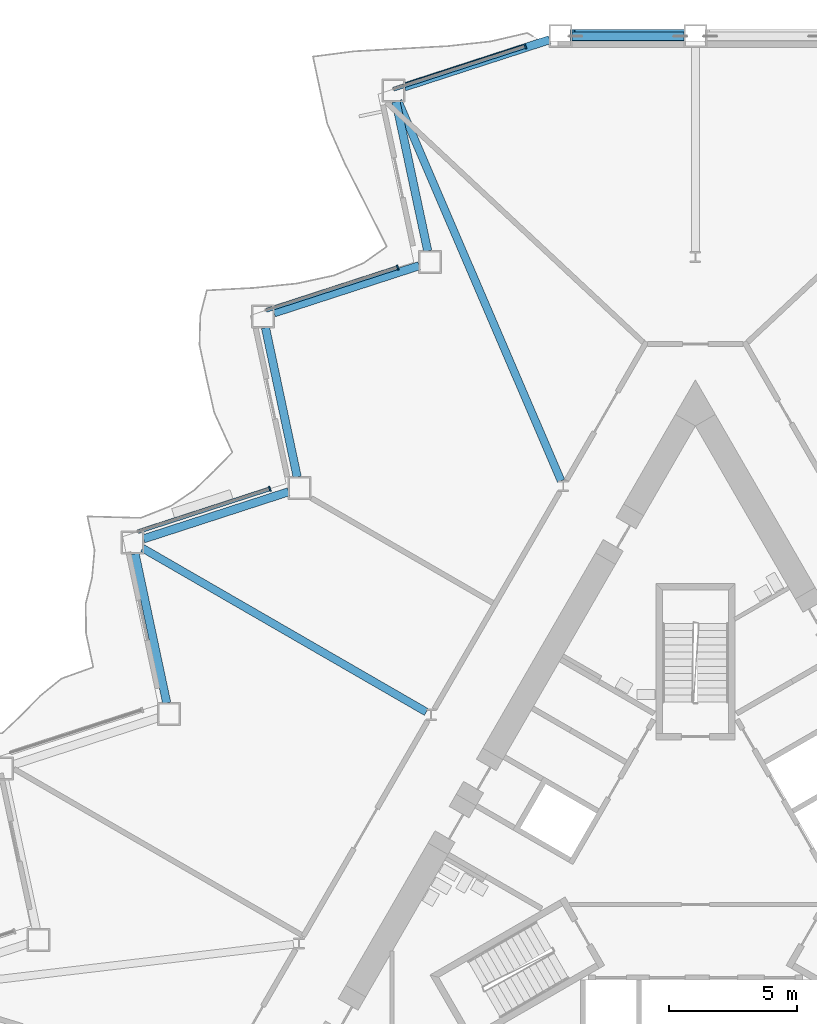
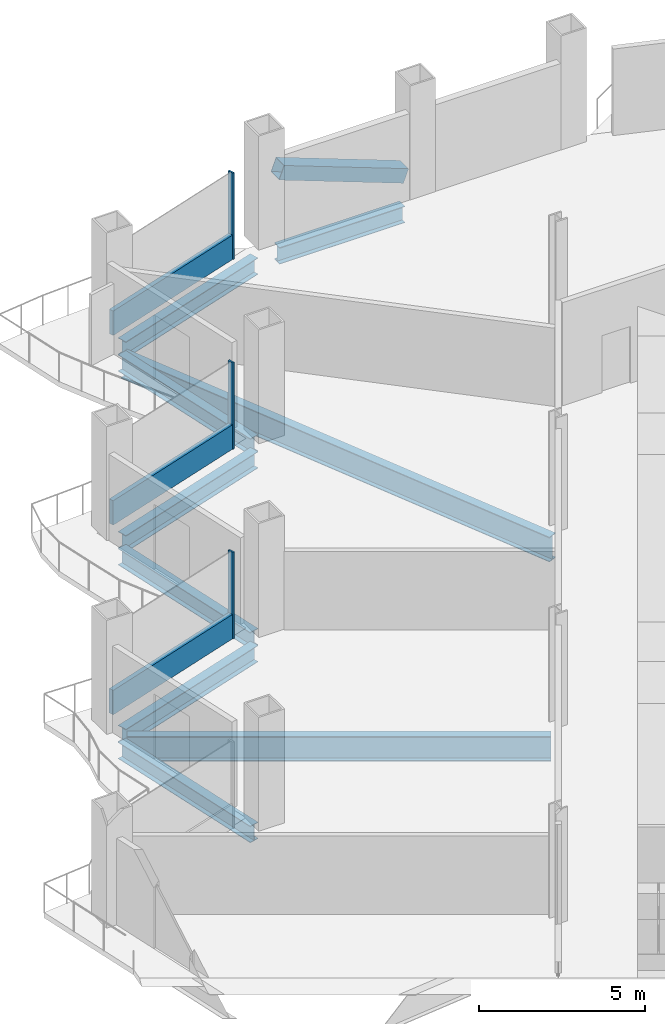
# One storey, part 7 of 21: 9 beams, 7 members, 3 elements without a shape of their own.
"""IFC4 building model written with IfcOpenShell, lengths in metres."""

from ifc_helpers import new_model, si_unit, direction, frame, origin, origin_2d, place, context, subcontext, project, spatial, rectangle, hollow_rectangle, i_section, extrude, material, layer, layer_set, material_profile, profile_set, type_object, element, aggregate, save


model = new_model("IFC4")

# Units and contexts
model_context = context("Model", 3, precision=1e-05, world=origin(), true_north=direction((0.0, 1.0)))
body_context = subcontext(model_context, "Body", "Model", "MODEL_VIEW")
ifc_project = project(units=[si_unit("LENGTHUNIT", "METRE"), si_unit("AREAUNIT", "SQUARE_METRE"), si_unit("VOLUMEUNIT", "CUBIC_METRE"), si_unit("PLANEANGLEUNIT", "RADIAN"), si_unit("MASSUNIT", "GRAM", prefix="KILO")], contexts=[model_context])

# Site, building, storey
site_placement = place(None, origin())
site = spatial("IfcSite", under=ifc_project, at=site_placement, CompositionType="ELEMENT")
building_placement = place(site_placement, origin())
building = spatial("IfcBuilding", under=site, at=building_placement, Name="Cormorant Prow Tower", CompositionType="ELEMENT")
storey_placement = place(building_placement, frame((0.0, 0.0, 108.0)))
storey = spatial("IfcBuildingStorey", under=building, at=storey_placement, Name="L22", CompositionType="ELEMENT", Elevation=108.0)

# Member
ifc_material_1 = material(Name="Structural steel ASTM A500 Gr C", Category="steel")
ifc_material_profile_1 = material_profile(ifc_material_1, hollow_rectangle(XDim=0.508056640625, YDim=0.508056640625, WallThickness=0.014892578125, at=origin_2d()), Name="HSS20x20x5/8")
ifc_profile_set_1 = profile_set([ifc_material_profile_1], Name="Structural steel ASTM A500 Gr C")
member_type_1 = type_object("IfcMemberType", Name="Chamfer brace HSS20x20x5/8", PredefinedType="BRACE", material=ifc_profile_set_1)
member_1_placement = place(storey_placement, frame((-0.4677734375, 32.487060546875, 0.776611328125), z_axis=(-0.935582009332, 0.0, 0.353109478511), x_axis=(0.0, -1.0, 0.0)))
element("IfcMember", 1, at=member_1_placement, inside=storey, type_object=member_type_1, Name="Chamfer brace BR1 at N01 L22", PredefinedType="BRACE", context=body_context, shape_type="SweptSolid", body=[
    extrude(hollow_rectangle(XDim=0.508056640625, YDim=0.508056640625, WallThickness=0.014892578125, at=origin_2d()), origin(), (0.0, 0.0, 1.0), 4.63232421875),
])

# Curtain wall, member
ifc_material_2 = material(Name="Aluminium 6063-T6", Category="aluminium")
ifc_layer = layer(ifc_material_2, 0.199951171875)
ifc_layer_set = layer_set([ifc_layer], Name="Aluminium 6063-T6")
curtain_wall_type = type_object("IfcCurtainWallType", Name="Office unitised curtain wall 200", PredefinedType="NOTDEFINED", material=ifc_layer_set)
curtain_wall_1_placement = place(storey_placement, origin())
curtain_wall_1 = element("IfcCurtainWall", 2, at=curtain_wall_1_placement, inside=storey, type_object=curtain_wall_type, Name="Office curtain wall WNW00", PredefinedType="NOTDEFINED")
ifc_material_3 = material(Name="Aluminium 6063-T6", Category="aluminium")
ifc_material_profile_2 = material_profile(ifc_material_3, rectangle(XDim=0.199951171875, YDim=0.06005859375, at=origin_2d()), Name="Office mullion 60x200")
ifc_profile_set_2 = profile_set([ifc_material_profile_2], Name="Aluminium 6063-T6")
member_type_2 = type_object("IfcMemberType", Name="Office mullion 60x200", PredefinedType="MULLION", material=ifc_profile_set_2)
member_2_placement = place(storey_placement, frame((-6.645751953125, 32.090576171875, 0.0), z_axis=(0.0, 0.0, 1.0), x_axis=(0.309016933855, -0.951056535959, 0.0)))
member_2 = element("IfcMember", 3, at=member_2_placement, type_object=member_type_2, Name="Office mullion WNW00", PredefinedType="MULLION", context=body_context, shape_type="SweptSolid", body=[
    extrude(rectangle(XDim=0.199951171875, YDim=0.06005859375, at=origin_2d()), origin(), (0.0, 0.0, 1.0), 3.18896484375),
])

curtain_wall_2_placement = place(storey_placement, origin())
curtain_wall_2 = element("IfcCurtainWall", 4, at=curtain_wall_2_placement, inside=storey, type_object=curtain_wall_type, Name="Office curtain wall WNW02", PredefinedType="NOTDEFINED")
member_3_placement = place(storey_placement, frame((-11.638427734375, 23.443115234375, 0.0), z_axis=(0.0, 0.0, 1.0), x_axis=(0.309016933855, -0.951056535959, 0.0)))
member_3 = element("IfcMember", 5, at=member_3_placement, type_object=member_type_2, Name="Office mullion WNW02", PredefinedType="MULLION", context=body_context, shape_type="SweptSolid", body=[
    extrude(rectangle(XDim=0.199951171875, YDim=0.06005859375, at=origin_2d()), origin(), (0.0, 0.0, 1.0), 3.18896484375),
])

curtain_wall_3_placement = place(storey_placement, origin())
curtain_wall_3 = element("IfcCurtainWall", 6, at=curtain_wall_3_placement, inside=storey, type_object=curtain_wall_type, Name="Office curtain wall WNW04", PredefinedType="NOTDEFINED")
member_4_placement = place(storey_placement, frame((-16.631103515625, 14.79541015625, 0.0), z_axis=(0.0, 0.0, 1.0), x_axis=(0.309016933855, -0.951056535959, 0.0)))
member_4 = element("IfcMember", 7, at=member_4_placement, type_object=member_type_2, Name="Office mullion WNW04", PredefinedType="MULLION", context=body_context, shape_type="SweptSolid", body=[
    extrude(rectangle(XDim=0.199951171875, YDim=0.06005859375, at=origin_2d()), origin(), (0.0, 0.0, 1.0), 3.18896484375),
])

# Member
ifc_material_4 = material(Name="Terracotta", Category="masonry")
ifc_material_profile_3 = material_profile(ifc_material_4, rectangle(XDim=0.159912109375, YDim=0.89990234375, at=origin_2d()), Name="Office terracotta spandrel rail 160x900")
ifc_profile_set_3 = profile_set([ifc_material_profile_3], Name="Terracotta")
member_type_3 = type_object("IfcMemberType", Name="Office terracotta spandrel rail 160x900", PredefinedType="USERDEFINED", material=ifc_profile_set_3)
member_5_placement = place(storey_placement, frame((-6.674072265625, 32.081298828125, 0.449951171875), z_axis=(-0.951053718729, -0.309025604265, 0.0), x_axis=(0.309025604265, -0.951053718729, 0.0)))
member_5 = element("IfcMember", 8, at=member_5_placement, type_object=member_type_3, Name="Office spandrel rail WNW00", ObjectType="TRANSOM", PredefinedType="USERDEFINED", context=body_context, shape_type="SweptSolid", body=[
    extrude(rectangle(XDim=0.159912109375, YDim=0.89990234375, at=origin_2d()), origin(), (0.0, 0.0, 1.0), 5.386474609375),
])

aggregate(curtain_wall_1, [member_2, member_5])

member_6_placement = place(storey_placement, frame((-11.666748046875, 23.433837890625, 0.449951171875), z_axis=(-0.951053718729, -0.309025604265, 0.0), x_axis=(0.309025604265, -0.951053718729, 0.0)))
member_6 = element("IfcMember", 9, at=member_6_placement, type_object=member_type_3, Name="Office spandrel rail WNW02", ObjectType="TRANSOM", PredefinedType="USERDEFINED", context=body_context, shape_type="SweptSolid", body=[
    extrude(rectangle(XDim=0.159912109375, YDim=0.89990234375, at=origin_2d()), origin(), (0.0, 0.0, 1.0), 5.386474609375),
])

aggregate(curtain_wall_2, [member_3, member_6])

member_7_placement = place(storey_placement, frame((-16.659423828125, 14.7861328125, 0.449951171875), z_axis=(-0.951067039037, -0.30898460683, 0.0), x_axis=(0.30898460683, -0.951067039037, 0.0)))
member_7 = element("IfcMember", 10, at=member_7_placement, type_object=member_type_3, Name="Office spandrel rail WNW04", ObjectType="TRANSOM", PredefinedType="USERDEFINED", context=body_context, shape_type="SweptSolid", body=[
    extrude(rectangle(XDim=0.159912109375, YDim=0.89990234375, at=origin_2d()), origin(), (0.0, 0.0, 1.0), 5.386474609375),
])

aggregate(curtain_wall_3, [member_4, member_7])

# Beams
ifc_material_5 = material(Name="Structural steel ASTM A992 Gr 50", Category="steel")
ifc_material_profile_4 = material_profile(ifc_material_5, i_section(OverallWidth=0.3046875, OverallDepth=0.914794921875, WebThickness=0.0166015625, FlangeThickness=0.02587890625, at=origin_2d()), Name="W36x160")
ifc_profile_set_4 = profile_set([ifc_material_profile_4], Name="Structural steel ASTM A992 Gr 50")
beam_type_1 = type_object("IfcBeamType", Name="Radial floor beam W36x160", PredefinedType="BEAM", material=ifc_profile_set_4)
beam_1_placement = place(storey_placement, frame((-5.25, 15.107666015625, -0.857421875), z_axis=(-0.394273140268, 0.918993302948, 0.0), x_axis=(-0.918993302948, -0.394273140268, 0.0)))
element("IfcBeam", 11, at=beam_1_placement, inside=storey, type_object=beam_type_1, Name="Radial floor beam FB1 2 L22", PredefinedType="BEAM", context=body_context, shape_type="SweptSolid", body=[
    extrude(i_section(OverallWidth=0.3046875, OverallDepth=0.914794921875, WebThickness=0.0166015625, FlangeThickness=0.02587890625, at=origin_2d()), origin(), (0.0, 0.0, 1.0), 16.153564453125),
])
beam_2_placement = place(storey_placement, frame((-10.516845703125, 6.07177734375, -0.857421875), z_axis=(-0.866021760006, 0.500006311156, 0.0), x_axis=(-0.500006311156, -0.866021760006, 0.0)))
element("IfcBeam", 12, at=beam_2_placement, inside=storey, type_object=beam_type_1, Name="Radial floor beam FB1 3 L22", PredefinedType="BEAM", context=body_context, shape_type="SweptSolid", body=[
    extrude(i_section(OverallWidth=0.3046875, OverallDepth=0.914794921875, WebThickness=0.0166015625, FlangeThickness=0.02587890625, at=origin_2d()), origin(), (0.0, 0.0, 1.0), 12.805419921875),
])
ifc_material_6 = material(Name="Structural steel ASTM A992 Gr 50", Category="steel")
ifc_material_profile_5 = material_profile(ifc_material_6, i_section(OverallWidth=0.32373046875, OverallDepth=0.611083984375, WebThickness=0.0126953125, FlangeThickness=0.01904296875, at=origin_2d()), Name="W24x104")
ifc_profile_set_5 = profile_set([ifc_material_profile_5], Name="Structural steel ASTM A992 Gr 50")
beam_type_2 = type_object("IfcBeamType", Name="Spandrel beam W24x104", PredefinedType="SPANDREL", material=ifc_profile_set_5)
beam_3_placement = place(storey_placement, frame((-0.449951171875, 32.487060546875, -0.70556640625), z_axis=(-1.0, 0.0, 0.0), x_axis=(0.0, -1.0, 0.0)))
element("IfcBeam", 13, at=beam_3_placement, inside=storey, type_object=beam_type_2, Name="Spandrel beam SB1 N01-WNW00 L22", PredefinedType="SPANDREL", context=body_context, shape_type="SweptSolid", body=[
    extrude(i_section(OverallWidth=0.32373046875, OverallDepth=0.611083984375, WebThickness=0.0126953125, FlangeThickness=0.01904296875, at=origin_2d()), origin(), (0.0, 0.0, 1.0), 4.36962890625),
])
beam_4_placement = place(storey_placement, frame((-5.69775390625, 32.347900390625, -0.70556640625), z_axis=(-0.951055430656, -0.309020335608, 0.0), x_axis=(0.309020335608, -0.951055430656, 0.0)))
element("IfcBeam", 14, at=beam_4_placement, inside=storey, type_object=beam_type_2, Name="Spandrel beam SB1 WNW00-WNW01 L22", PredefinedType="SPANDREL", context=body_context, shape_type="SweptSolid", body=[
    extrude(i_section(OverallWidth=0.32373046875, OverallDepth=0.611083984375, WebThickness=0.0126953125, FlangeThickness=0.01904296875, at=origin_2d()), origin(), (0.0, 0.0, 1.0), 5.96240234375),
])
beam_5_placement = place(storey_placement, frame((-11.702880859375, 29.926025390625, -0.70556640625), z_axis=(0.207920947907, -0.978145633033, 0.0), x_axis=(0.978145633033, 0.207920947907, 0.0)))
element("IfcBeam", 15, at=beam_5_placement, inside=storey, type_object=beam_type_2, Name="Spandrel beam SB1 WNW01-WNW02 L22", PredefinedType="SPANDREL", context=body_context, shape_type="SweptSolid", body=[
    extrude(i_section(OverallWidth=0.32373046875, OverallDepth=0.611083984375, WebThickness=0.0126953125, FlangeThickness=0.01904296875, at=origin_2d()), origin(), (0.0, 0.0, 1.0), 5.962646484375),
])
beam_6_placement = place(storey_placement, frame((-10.797607421875, 23.5146484375, -0.70556640625), z_axis=(-0.95104730696, -0.309045336358, 0.0), x_axis=(0.309045336358, -0.95104730696, 0.0)))
element("IfcBeam", 16, at=beam_6_placement, inside=storey, type_object=beam_type_2, Name="Spandrel beam SB1 WNW02-WNW03 L22", PredefinedType="SPANDREL", context=body_context, shape_type="SweptSolid", body=[
    extrude(i_section(OverallWidth=0.32373046875, OverallDepth=0.611083984375, WebThickness=0.0126953125, FlangeThickness=0.01904296875, at=origin_2d()), origin(), (0.0, 0.0, 1.0), 5.962890625),
])
for number, where, z_axis, x_axis, name in (
    (17, (-16.802734375, 21.0927734375, -0.70556640625), (0.207920947907, -0.978145633033, 0.0), (0.978145633033, 0.207920947907, 0.0), "Spandrel beam SB1 WNW03-WNW04 L22"),
    (18, (-15.8974609375, 14.68115234375, -0.70556640625), (-0.951059340519, -0.309008302174, 0.0), (0.309008302174, -0.951059340519, 0.0), "Spandrel beam SB1 WNW04-WNW05 L22"),
):
    element("IfcBeam", number, at=place(storey_placement, frame(where, z_axis=z_axis, x_axis=x_axis)), inside=storey, type_object=beam_type_2, Name=name, PredefinedType="SPANDREL", context=body_context, shape_type="SweptSolid", body=[
        extrude(i_section(OverallWidth=0.32373046875, OverallDepth=0.611083984375, WebThickness=0.0126953125, FlangeThickness=0.01904296875, at=origin_2d()), origin(), (0.0, 0.0, 1.0), 5.962646484375),
    ])
beam_7_placement = place(storey_placement, frame((-21.90283203125, 12.259521484375, -0.70556640625), z_axis=(0.207912620873, -0.978147403044, 0.0), x_axis=(0.978147403044, 0.207912620873, 0.0)))
element("IfcBeam", 19, at=beam_7_placement, inside=storey, type_object=beam_type_2, Name="Spandrel beam SB1 WNW05-WNW06 L22", PredefinedType="SPANDREL", context=body_context, shape_type="SweptSolid", body=[
    extrude(i_section(OverallWidth=0.32373046875, OverallDepth=0.611083984375, WebThickness=0.0126953125, FlangeThickness=0.01904296875, at=origin_2d()), origin(), (0.0, 0.0, 1.0), 5.962890625),
])

save(model, "model.ifc")
